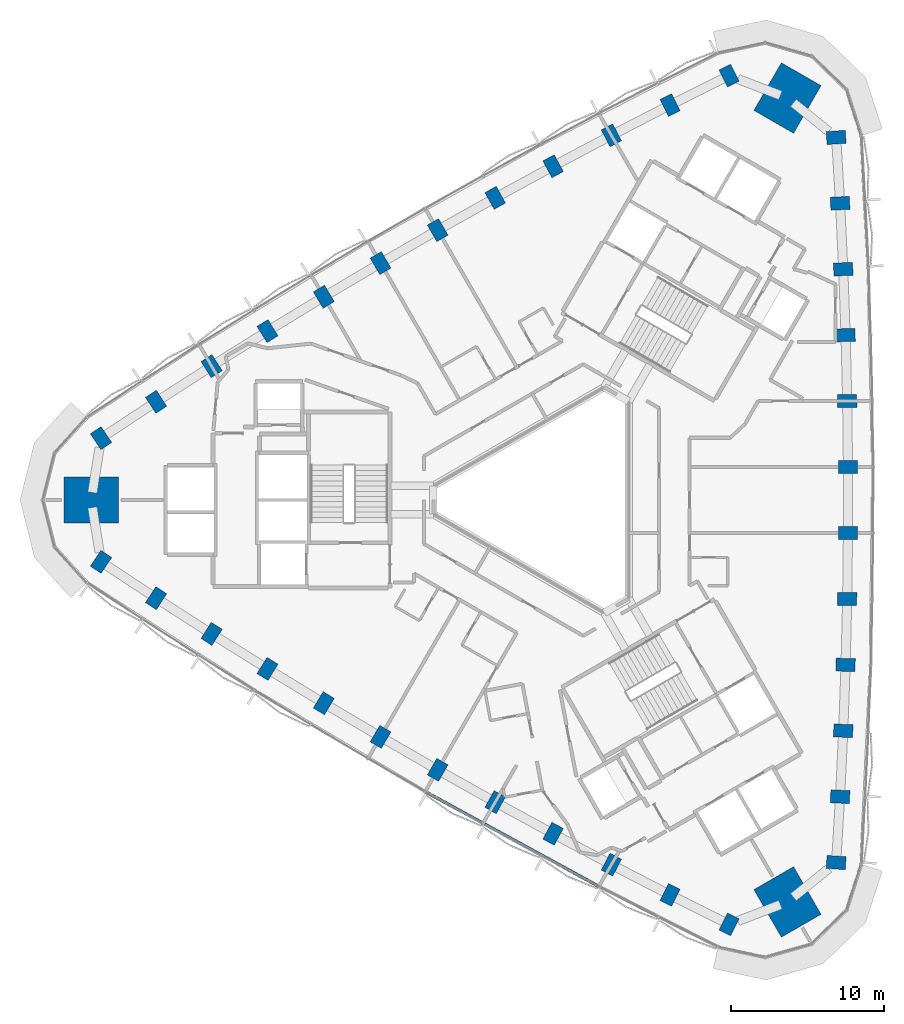
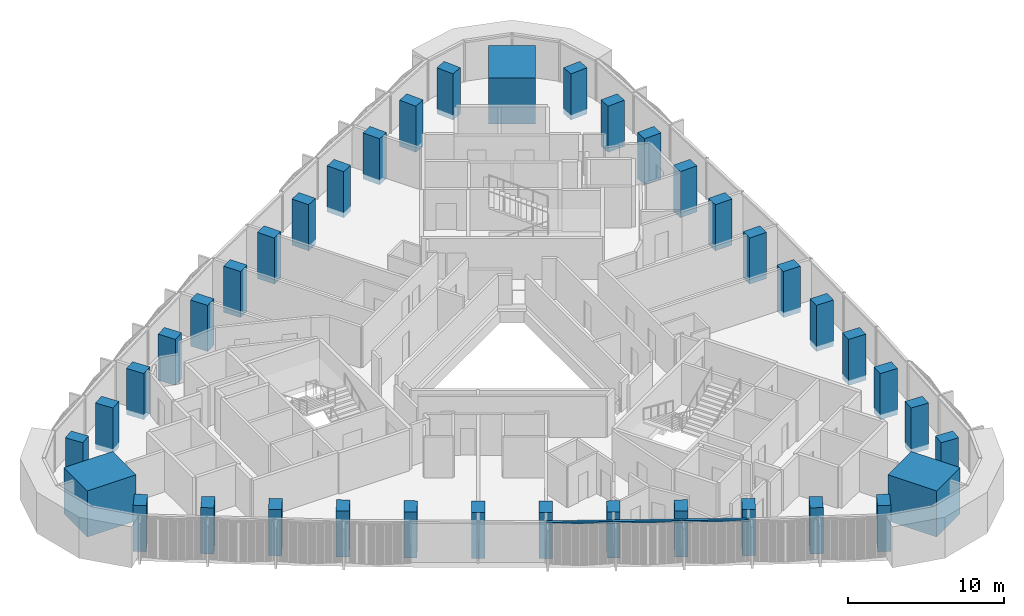
# One storey, part 1 of 15: 39 columns, 1 member, 1 element without a shape of its own.
"""IFC4 building model written with IfcOpenShell, lengths in metres."""

from ifc_helpers import new_model, si_unit, direction, frame, origin, origin_2d, place, context, subcontext, project, spatial, rectangle, extrude, material, material_profile, profile_set, type_object, element, aggregate, save


model = new_model("IFC4")

# Units and contexts
model_context = context("Model", 3, precision=1e-05, world=origin(), true_north=direction((0.0, 1.0)))
body_context = subcontext(model_context, "Body", "Model", "MODEL_VIEW")
ifc_project = project(units=[si_unit("LENGTHUNIT", "METRE"), si_unit("AREAUNIT", "SQUARE_METRE"), si_unit("VOLUMEUNIT", "CUBIC_METRE"), si_unit("PLANEANGLEUNIT", "RADIAN"), si_unit("MASSUNIT", "GRAM", prefix="KILO")], contexts=[model_context])

# Site, building, storey
site_placement = place(None, origin())
site = spatial("IfcSite", under=ifc_project, at=site_placement, CompositionType="ELEMENT")
building_placement = place(site_placement, origin())
building = spatial("IfcBuilding", under=site, at=building_placement, Name="Tamra Quay Hotel Tower", CompositionType="ELEMENT")
storey_placement = place(building_placement, frame((0.0, 0.0, 136.0)))
storey = spatial("IfcBuildingStorey", under=building, at=storey_placement, Name="L33", CompositionType="ELEMENT", Elevation=136.0)

# Columns
ifc_material_1 = material(Name="Concrete M70", Category="concrete")
ifc_material_profile_1 = material_profile(ifc_material_1, rectangle(XDim=1.25, YDim=0.85009765625, at=origin_2d()), Name="COLUMN RC 850x1250 Z3")
ifc_profile_set_1 = profile_set([ifc_material_profile_1], Name="Concrete M70")
column_type_1 = type_object("IfcColumnType", Name="COLUMN RC 850x1250 Z3", PredefinedType="COLUMN", material=ifc_profile_set_1)
for number, where, z_axis, x_axis, name in (
    (1, (18.396728515625, -23.757080078125, -0.39990234375), (0.0, 0.0, 1.0), (-0.997857895766, 0.065418803553, 0.0), "COL-C3E01-L33"),
    (2, (18.654541015625, -19.4423828125, -0.39990234375), (0.0, 0.0, 1.0), (-0.998562324173, 0.053603029218, 0.0), "COL-C3E02-L33"),
    (3, (18.86083984375, -15.124267578125, -0.39990234375), (0.0, 0.0, 1.0), (-0.999109109653, 0.042201741775, 0.0), "COL-C3E03-L33"),
    (4, (19.015869140625, -10.8046875, -0.39990234375), (0.0, 0.0, 1.0), (-0.99955268585, 0.029906992649, 0.0), "COL-C3E04-L33"),
    (5, (19.119140625, -6.483642578125, -0.39990234375), (0.0, 0.0, 1.0), (-0.999845156469, 0.017597246518, 0.0), "COL-C3E05-L33"),
    (6, (19.1708984375, -2.1611328125, -0.39990234375), (0.0, 0.0, 1.0), (-0.999981031775, 0.006159227987, 0.0), "COL-C3E06-L33"),
    (7, (19.1708984375, 2.1611328125, -0.39990234375), (0.0, 0.0, 1.0), (0.999981031775, 0.006159227987, 0.0), "COL-C3E07-L33"),
    (8, (19.119140625, 6.483642578125, -0.39990234375), (0.0, 0.0, 1.0), (0.999845156469, 0.017597246518, 0.0), "COL-C3E08-L33"),
    (9, (19.015869140625, 10.8046875, -0.39990234375), (0.0, 0.0, 1.0), (0.99955268585, 0.029906992649, 0.0), "COL-C3E09-L33"),
    (10, (18.86083984375, 15.124267578125, -0.39990234375), (0.0, 0.0, 1.0), (0.999109109653, 0.042201741775, 0.0), "COL-C3E10-L33"),
    (11, (18.654541015625, 19.4423828125, -0.39990234375), (0.0, 0.0, 1.0), (0.998562324173, 0.053603029218, 0.0), "COL-C3E11-L33"),
    (12, (18.396728515625, 23.757080078125, -0.39990234375), (0.0, 0.0, 1.0), (0.997857895766, 0.065418803553, 0.0), "COL-C3E12-L33"),
    (13, (11.3759765625, 27.810546875, -0.39990234375), (0.0, 0.0, 1.0), (-0.44227460212, 0.896879688877, 0.0), "COL-C3NW01-L33"),
    (14, (7.51025390625, 25.87646484375, -0.39990234375), (0.0, 0.0, 1.0), (-0.452859577064, 0.891581854605, 0.0), "COL-C3NW02-L33"),
    (15, (3.66748046875, 23.896240234375, -0.39990234375), (0.0, 0.0, 1.0), (-0.463006774365, 0.886354740999, 0.0), "COL-C3NW03-L33"),
    (16, (-0.150634765625, 21.87060546875, -0.39990234375), (0.0, 0.0, 1.0), (-0.47387612754, 0.880591514692, 0.0), "COL-C3NW04-L33"),
    (17, (-3.944580078125, 19.799560546875, -0.39990234375), (0.0, 0.0, 1.0), (-0.484682915713, 0.874689928612, 0.0), "COL-C3NW05-L33"),
    (18, (-7.7138671875, 17.68310546875, -0.39990234375), (0.0, 0.0, 1.0), (-0.494656467983, 0.869088590813, 0.0), "COL-C3NW06-L33"),
    (19, (-11.45703125, 15.521728515625, -0.39990234375), (0.0, 0.0, 1.0), (-0.505324563792, 0.862929362827, 0.0), "COL-C3NW07-L33"),
    (20, (-15.174560546875, 13.31591796875, -0.39990234375), (0.0, 0.0, 1.0), (-0.515162240756, 0.857092682094, 0.0), "COL-C3NW08-L33"),
    (21, (-18.864990234375, 11.06591796875, -0.39990234375), (0.0, 0.0, 1.0), (-0.52567655831, 0.850684522043, 0.0), "COL-C3NW09-L33"),
    (22, (-22.528564453125, 8.771728515625, -0.39990234375), (0.0, 0.0, 1.0), (-0.536102335288, 0.844152999224, 0.0), "COL-C3NW10-L33"),
    (23, (-26.164794921875, 6.43408203125, -0.39990234375), (0.0, 0.0, 1.0), (-0.545702747109, 0.837978825387, 0.0), "COL-C3NW11-L33"),
    (24, (-29.772705078125, 4.053466796875, -0.39990234375), (0.0, 0.0, 1.0), (-0.555583293645, 0.831460885323, 0.0), "COL-C3NW12-L33"),
    (25, (-29.772705078125, -4.053466796875, -0.39990234375), (0.0, 0.0, 1.0), (0.555583293645, 0.831460885323, 0.0), "COL-C3SW01-L33"),
    (26, (-26.164794921875, -6.43408203125, -0.39990234375), (0.0, 0.0, 1.0), (0.545702747109, 0.837978825387, 0.0), "COL-C3SW02-L33"),
    (27, (-22.528564453125, -8.771728515625, -0.39990234375), (0.0, 0.0, 1.0), (0.536102335288, 0.844152999224, 0.0), "COL-C3SW03-L33"),
    (28, (-18.864990234375, -11.06591796875, -0.39990234375), (0.0, 0.0, 1.0), (0.52567655831, 0.850684522043, 0.0), "COL-C3SW04-L33"),
    (29, (-15.174560546875, -13.31591796875, -0.39990234375), (0.0, 0.0, 1.0), (0.515162240756, 0.857092682094, 0.0), "COL-C3SW05-L33"),
    (30, (-11.45703125, -15.521728515625, -0.39990234375), (0.0, 0.0, 1.0), (0.505324563792, 0.862929362827, 0.0), "COL-C3SW06-L33"),
    (31, (-7.7138671875, -17.68310546875, -0.39990234375), (0.0, 0.0, 1.0), (0.494656467983, 0.869088590813, 0.0), "COL-C3SW07-L33"),
    (32, (-3.944580078125, -19.799560546875, -0.39990234375), (0.0, 0.0, 1.0), (0.484682915713, 0.874689928612, 0.0), "COL-C3SW08-L33"),
    (33, (-0.150634765625, -21.87060546875, -0.39990234375), (0.0, 0.0, 1.0), (0.47387612754, 0.880591514692, 0.0), "COL-C3SW09-L33"),
    (34, (3.66748046875, -23.896240234375, -0.39990234375), (0.0, 0.0, 1.0), (0.463006774365, 0.886354740999, 0.0), "COL-C3SW10-L33"),
    (35, (7.51025390625, -25.87646484375, -0.39990234375), (0.0, 0.0, 1.0), (0.452859577064, 0.891581854605, 0.0), "COL-C3SW11-L33"),
    (36, (11.3759765625, -27.810546875, -0.39990234375), (0.0, 0.0, 1.0), (0.44227460212, 0.896879688877, 0.0), "COL-C3SW12-L33"),
):
    element("IfcColumn", number, at=place(storey_placement, frame(where, z_axis=z_axis, x_axis=x_axis)), inside=storey, type_object=column_type_1, Name=name, PredefinedType="COLUMN", context=body_context, shape_type="SweptSolid", body=[
        extrude(rectangle(XDim=1.25, YDim=0.85009765625, at=origin_2d()), origin(), (0.0, 0.0, 1.0), 3.599853515625),
    ])
ifc_material_profile_2 = material_profile(ifc_material_1, rectangle(XDim=3.60009765625, YDim=3.0, at=origin_2d()), Name="MEGA COLUMN RC 3000x3600 Z3")
ifc_profile_set_2 = profile_set([ifc_material_profile_2], Name="Concrete M70")
column_type_2 = type_object("IfcColumnType", Name="MEGA COLUMN RC 3000x3600 Z3", PredefinedType="COLUMN", material=ifc_profile_set_2)
for number, where, z_axis, x_axis, name in (
    (37, (15.20703125, 26.339599609375, -0.39990234375), (0.0, 0.0, 1.0), (0.5, 0.866025403784, 0.0), "COL-M3NE-L33"),
    (38, (-30.414306640625, 0.0, -0.39990234375), (0.0, 0.0, 1.0), (1.0, 0.0, 0.0), "COL-M3W-L33"),
    (39, (15.20703125, -26.339599609375, -0.39990234375), (0.0, 0.0, 1.0), (-0.5, 0.866025403784, 0.0), "COL-M3SE-L33"),
):
    element("IfcColumn", number, at=place(storey_placement, frame(where, z_axis=z_axis, x_axis=x_axis)), inside=storey, type_object=column_type_2, Name=name, PredefinedType="COLUMN", context=body_context, shape_type="SweptSolid", body=[
        extrude(rectangle(XDim=3.60009765625, YDim=3.0, at=origin_2d()), origin(), (0.0, 0.0, 1.0), 3.599853515625),
    ])

# Curtain wall, member
ifc_material_2 = material(Name="Aluminium 6063 anodised dark grey", Category="aluminium")
curtain_wall_type = type_object("IfcCurtainWallType", Name="CW3 CURTAIN WALL", PredefinedType="NOTDEFINED", material=ifc_material_2)
curtain_wall_placement = place(storey_placement, origin())
curtain_wall = element("IfcCurtainWall", 40, at=curtain_wall_placement, inside=storey, type_object=curtain_wall_type, Name="CW3 south-west face L33", PredefinedType="NOTDEFINED")
ifc_material_profile_3 = material_profile(ifc_material_2, rectangle(XDim=0.199951171875, YDim=0.139892578125, at=origin_2d()), Name="TRANSOM 200X140")
ifc_profile_set_3 = profile_set([ifc_material_profile_3], Name="Aluminium 6063 anodised dark grey")
member_type = type_object("IfcMemberType", Name="TRANSOM CW3 Z3", PredefinedType="USERDEFINED", material=ifc_profile_set_3)
member_placement = place(storey_placement, frame((-8.48583984375, -19.140625, 3.1298828125), z_axis=(0.877731670987, -0.479152495293, 0.0), x_axis=(0.479152495293, 0.877731670987, 0.0)))
member = element("IfcMember", 41, at=member_placement, type_object=member_type, Name="CW3 transom L33.SW.7", ObjectType="TRANSOM", PredefinedType="USERDEFINED", context=body_context, shape_type="SweptSolid", body=[
    extrude(rectangle(XDim=0.199951171875, YDim=0.139892578125, at=origin_2d()), origin(), (0.0, 0.0, 1.0), 12.92626953125),
])
aggregate(curtain_wall, [member])

save(model, "model.ifc")
